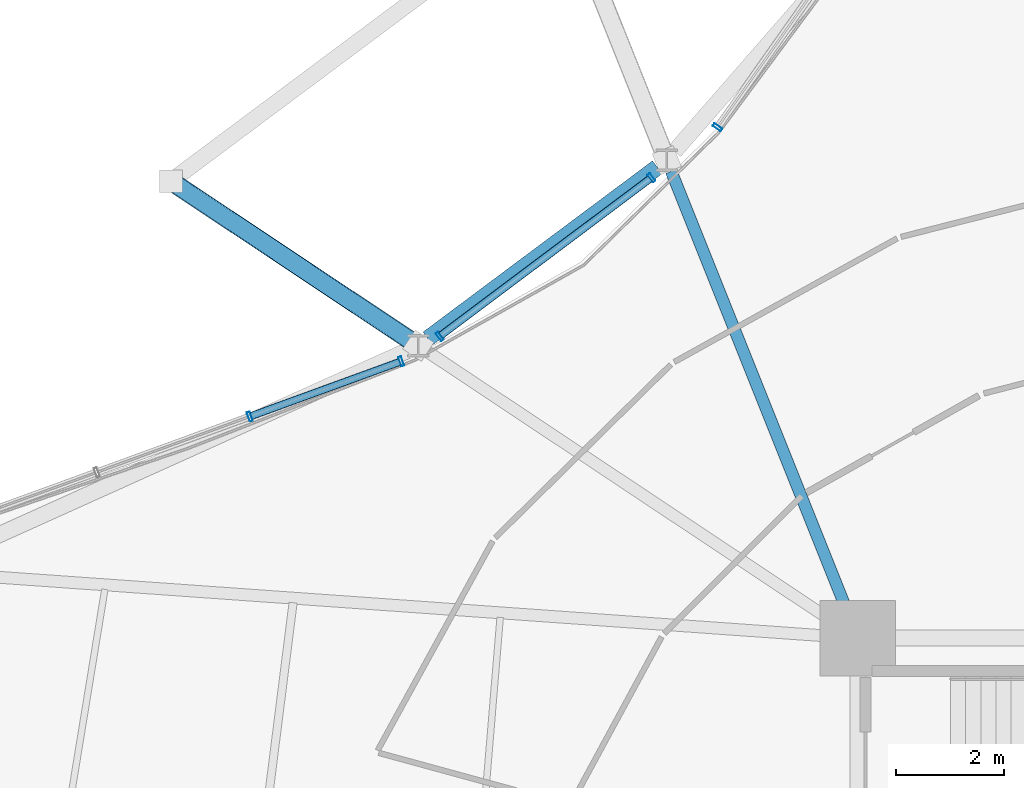
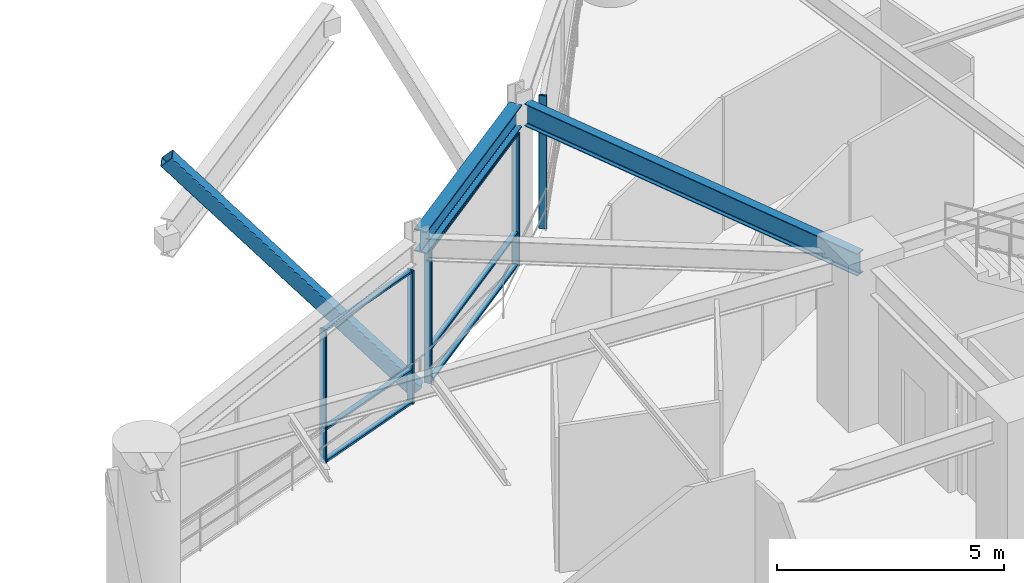
# One storey, part 31 of 55: 12 members, 2 beams, 3 elements without a shape of their own.
"""IFC4 building model written with IfcOpenShell, lengths in metres."""

from ifc_helpers import new_model, si_unit, direction, frame, origin, origin_2d, place, context, subcontext, project, spatial, hollow_rectangle, i_section, extrude, material, layer, layer_set, material_profile, profile_set, type_object, element, aggregate, save


model = new_model("IFC4")

# Units and contexts
model_context = context("Model", 3, precision=1e-05, world=origin(), true_north=direction((0.0, 1.0)))
body_context = subcontext(model_context, "Body", "Model", "MODEL_VIEW")
ifc_project = project(units=[si_unit("LENGTHUNIT", "METRE"), si_unit("AREAUNIT", "SQUARE_METRE"), si_unit("VOLUMEUNIT", "CUBIC_METRE"), si_unit("PLANEANGLEUNIT", "RADIAN"), si_unit("MASSUNIT", "GRAM", prefix="KILO")], contexts=[model_context])

# Site, building, storey
site_placement = place(None, origin())
site = spatial("IfcSite", under=ifc_project, at=site_placement, CompositionType="ELEMENT")
building_placement = place(site_placement, origin())
building = spatial("IfcBuilding", under=site, at=building_placement, Name="Kelanora Arch Commons", CompositionType="ELEMENT")
storey_placement = place(building_placement, frame((0.0, 0.0, 4.5)))
storey = spatial("IfcBuildingStorey", under=building, at=storey_placement, Name="L01", CompositionType="ELEMENT", Elevation=4.5)

# Beams
ifc_material_1 = material(Name="Steel S355", Category="steel")
ifc_material_profile_1 = material_profile(ifc_material_1, i_section(OverallWidth=0.219970703125, OverallDepth=0.60009765625, WebThickness=0.011962890625, FlangeThickness=0.01904296875, FilletRadius=0.02392578125, at=origin_2d()), Name="IPE600")
ifc_profile_set_1 = profile_set([ifc_material_profile_1], Name="Steel S355")
beam_type_1 = type_object("IfcBeamType", Name="BM-RAD-Z1", PredefinedType="BEAM", material=ifc_profile_set_1)
beam_1_placement = place(storey_placement, frame((66.0, 65.0, 3.89990234375), z_axis=(-0.371300433106, 0.928512783098, 0.0), x_axis=(-0.928512783098, -0.371300433106, 0.0)))
element("IfcBeam", 1, at=beam_1_placement, inside=storey, type_object=beam_type_1, Name="Radial Floor Girder BR-12 L01", PredefinedType="BEAM", context=body_context, shape_type="SweptSolid", body=[
    extrude(i_section(OverallWidth=0.219970703125, OverallDepth=0.60009765625, WebThickness=0.011962890625, FlangeThickness=0.01904296875, FilletRadius=0.02392578125, at=origin_2d()), origin(), (0.0, 0.0, 1.0), 9.3291015625),
])
ifc_material_profile_2 = material_profile(ifc_material_1, i_section(OverallWidth=0.300048828125, OverallDepth=0.60009765625, WebThickness=0.015380859375, FlangeThickness=0.030029296875, FilletRadius=0.027099609375, at=origin_2d()), Name="HEB600")
ifc_profile_set_2 = profile_set([ifc_material_profile_2], Name="Steel S355")
beam_type_2 = type_object("IfcBeamType", Name="BM-SPN-Z1", PredefinedType="SPANDREL", material=ifc_profile_set_2)
beam_2_placement = place(storey_placement, frame((62.278076171875, 73.73486328125, 3.89990234375), z_axis=(-0.801486366257, -0.598013047269, 0.0), x_axis=(0.598013047269, -0.801486366257, 0.0)))
element("IfcBeam", 2, at=beam_2_placement, inside=storey, type_object=beam_type_2, Name="Perimeter Spandrel Beam BS-12 L01", PredefinedType="SPANDREL", context=body_context, shape_type="SweptSolid", body=[
    extrude(i_section(OverallWidth=0.300048828125, OverallDepth=0.60009765625, WebThickness=0.015380859375, FlangeThickness=0.030029296875, FilletRadius=0.027099609375, at=origin_2d()), origin(), (0.0, 0.0, 1.0), 5.31298828125),
])

# Curtain wall, member
ifc_material_2 = material(Name="Terracotta ceramic-fritted low-E glass and aluminium", Category="masonry")
ifc_layer = layer(ifc_material_2, 0.2099609375)
ifc_layer_set = layer_set([ifc_layer], Name="Terracotta ceramic-fritted low-E glass and aluminium")
curtain_wall_type = type_object("IfcCurtainWallType", Name="CW-SYS-04", PredefinedType="NOTDEFINED", material=ifc_layer_set)
curtain_wall_1_placement = place(storey_placement, origin())
curtain_wall_1 = element("IfcCurtainWall", 3, at=curtain_wall_1_placement, inside=storey, type_object=curtain_wall_type, Name="Unitised Curtain Wall L01-B05", PredefinedType="NOTDEFINED")
ifc_material_3 = material(Name="Powder-coated aluminium terracotta", Category="masonry")
ifc_material_profile_3 = material_profile(ifc_material_3, hollow_rectangle(XDim=0.179931640625, YDim=0.06005859375, WallThickness=0.0048828125, InnerFilletRadius=0.0048828125, OuterFilletRadius=0.010009765625, at=origin_2d()), Name="CWM180x60")
ifc_profile_set_3 = profile_set([ifc_material_profile_3], Name="Powder-coated aluminium terracotta")
member_type_1 = type_object("IfcMemberType", Name="CWM-HVY", PredefinedType="MULLION", material=ifc_profile_set_3)
member_1_placement = place(storey_placement, frame((63.39501953125, 74.477294921875, 0.0), z_axis=(0.0, 0.0, 1.0), x_axis=(0.817206133555, -0.576345499922, 0.0)))
member_1 = element("IfcMember", 4, at=member_1_placement, type_object=member_type_1, Name="CW-04 mullion 3", PredefinedType="MULLION", context=body_context, shape_type="SweptSolid", body=[
    extrude(hollow_rectangle(XDim=0.179931640625, YDim=0.06005859375, WallThickness=0.0048828125, InnerFilletRadius=0.0048828125, OuterFilletRadius=0.010009765625, at=origin_2d()), origin(), (0.0, 0.0, 1.0), 3.580078125),
])
aggregate(curtain_wall_1, [member_1])

# Curtain wall, members
curtain_wall_2_placement = place(storey_placement, origin())
curtain_wall_2 = element("IfcCurtainWall", 5, at=curtain_wall_2_placement, inside=storey, type_object=curtain_wall_type, Name="Unitised Curtain Wall L01-B06", PredefinedType="NOTDEFINED")
member_2_placement = place(storey_placement, frame((62.169189453125, 73.54150390625, 0.0), z_axis=(0.0, 0.0, 1.0), x_axis=(0.599587813185, -0.80030897426, 0.0)))
member_2 = element("IfcMember", 6, at=member_2_placement, type_object=member_type_1, Name="CW-04 mullion 1", PredefinedType="MULLION", context=body_context, shape_type="SweptSolid", body=[
    extrude(hollow_rectangle(XDim=0.179931640625, YDim=0.06005859375, WallThickness=0.0048828125, InnerFilletRadius=0.0048828125, OuterFilletRadius=0.010009765625, at=origin_2d()), origin(), (0.0, 0.0, 1.0), 3.580078125),
])
member_3_placement = place(storey_placement, frame((58.239990234375, 70.597900390625, 0.0), z_axis=(0.0, 0.0, 1.0), x_axis=(0.599587813185, -0.80030897426, 0.0)))
member_3 = element("IfcMember", 7, at=member_3_placement, type_object=member_type_1, Name="CW-04 mullion 2", PredefinedType="MULLION", context=body_context, shape_type="SweptSolid", body=[
    extrude(hollow_rectangle(XDim=0.179931640625, YDim=0.06005859375, WallThickness=0.0048828125, InnerFilletRadius=0.0048828125, OuterFilletRadius=0.010009765625, at=origin_2d()), origin(), (0.0, 0.0, 1.0), 3.580078125),
])

curtain_wall_3_placement = place(storey_placement, origin())
curtain_wall_3 = element("IfcCurtainWall", 8, at=curtain_wall_3_placement, inside=storey, type_object=curtain_wall_type, Name="Unitised Curtain Wall L01-B07", PredefinedType="NOTDEFINED")
member_4_placement = place(storey_placement, frame((57.526611328125, 70.134765625, 0.0), z_axis=(0.0, 0.0, 1.0), x_axis=(0.342318215206, -0.939584077951, 0.0)))
member_4 = element("IfcMember", 9, at=member_4_placement, type_object=member_type_1, Name="CW-04 mullion 1", PredefinedType="MULLION", context=body_context, shape_type="SweptSolid", body=[
    extrude(hollow_rectangle(XDim=0.179931640625, YDim=0.06005859375, WallThickness=0.0048828125, InnerFilletRadius=0.0048828125, OuterFilletRadius=0.010009765625, at=origin_2d()), origin(), (0.0, 0.0, 1.0), 3.580078125),
])
member_5_placement = place(storey_placement, frame((54.717529296875, 69.111328125, 0.0), z_axis=(0.0, 0.0, 1.0), x_axis=(0.342318215206, -0.939584077951, 0.0)))
member_5 = element("IfcMember", 10, at=member_5_placement, type_object=member_type_1, Name="CW-04 mullion 2", PredefinedType="MULLION", context=body_context, shape_type="SweptSolid", body=[
    extrude(hollow_rectangle(XDim=0.179931640625, YDim=0.06005859375, WallThickness=0.0048828125, InnerFilletRadius=0.0048828125, OuterFilletRadius=0.010009765625, at=origin_2d()), origin(), (0.0, 0.0, 1.0), 3.580078125),
])

# Member
ifc_material_profile_4 = material_profile(ifc_material_3, hollow_rectangle(XDim=0.139892578125, YDim=0.06005859375, WallThickness=0.0048828125, InnerFilletRadius=0.0048828125, OuterFilletRadius=0.010009765625, at=origin_2d()), Name="CWT140x60")
ifc_profile_set_4 = profile_set([ifc_material_profile_4], Name="Powder-coated aluminium terracotta")
member_type_2 = type_object("IfcMemberType", Name="CWT-HVY", PredefinedType="USERDEFINED", material=ifc_profile_set_4)
member_6_placement = place(storey_placement, frame((62.145263671875, 73.5234375, 0.030029296875), z_axis=(-0.800307995736, -0.599589119281, 0.0), x_axis=(0.599589119281, -0.800307995736, 0.0)))
member_6 = element("IfcMember", 11, at=member_6_placement, type_object=member_type_2, Name="CW-04 transom 1.1", ObjectType="TRANSOM", PredefinedType="USERDEFINED", context=body_context, shape_type="SweptSolid", body=[
    extrude(hollow_rectangle(XDim=0.139892578125, YDim=0.06005859375, WallThickness=0.0048828125, InnerFilletRadius=0.0048828125, OuterFilletRadius=0.010009765625, at=origin_2d()), origin(), (0.0, 0.0, 1.0), 4.849609375),
])

member_7_placement = place(storey_placement, frame((62.145263671875, 73.5234375, 0.89990234375), z_axis=(-0.800307995736, -0.599589119281, 0.0), x_axis=(0.599589119281, -0.800307995736, 0.0)))
member_7 = element("IfcMember", 12, at=member_7_placement, type_object=member_type_2, Name="CW-04 transom 1.2", ObjectType="TRANSOM", PredefinedType="USERDEFINED", context=body_context, shape_type="SweptSolid", body=[
    extrude(hollow_rectangle(XDim=0.139892578125, YDim=0.06005859375, WallThickness=0.0048828125, InnerFilletRadius=0.0048828125, OuterFilletRadius=0.010009765625, at=origin_2d()), origin(), (0.0, 0.0, 1.0), 4.849609375),
])

member_8_placement = place(storey_placement, frame((62.145263671875, 73.5234375, 3.550048828125), z_axis=(-0.800307995736, -0.599589119281, 0.0), x_axis=(0.599589119281, -0.800307995736, 0.0)))
member_8 = element("IfcMember", 13, at=member_8_placement, type_object=member_type_2, Name="CW-04 transom 1.3", ObjectType="TRANSOM", PredefinedType="USERDEFINED", context=body_context, shape_type="SweptSolid", body=[
    extrude(hollow_rectangle(XDim=0.139892578125, YDim=0.06005859375, WallThickness=0.0048828125, InnerFilletRadius=0.0048828125, OuterFilletRadius=0.010009765625, at=origin_2d()), origin(), (0.0, 0.0, 1.0), 4.849609375),
])

aggregate(curtain_wall_2, [member_2, member_3, member_6, member_7, member_8])

member_9_placement = place(storey_placement, frame((57.498291015625, 70.12451171875, 0.030029296875), z_axis=(-0.939579128074, -0.342331801164, 0.0), x_axis=(0.342331801164, -0.939579128074, 0.0)))
member_9 = element("IfcMember", 14, at=member_9_placement, type_object=member_type_2, Name="CW-04 transom 1.1", ObjectType="TRANSOM", PredefinedType="USERDEFINED", context=body_context, shape_type="SweptSolid", body=[
    extrude(hollow_rectangle(XDim=0.139892578125, YDim=0.06005859375, WallThickness=0.0048828125, InnerFilletRadius=0.0048828125, OuterFilletRadius=0.010009765625, at=origin_2d()), origin(), (0.0, 0.0, 1.0), 2.9296875),
])

member_10_placement = place(storey_placement, frame((57.498291015625, 70.12451171875, 0.89990234375), z_axis=(-0.939579128074, -0.342331801164, 0.0), x_axis=(0.342331801164, -0.939579128074, 0.0)))
member_10 = element("IfcMember", 15, at=member_10_placement, type_object=member_type_2, Name="CW-04 transom 1.2", ObjectType="TRANSOM", PredefinedType="USERDEFINED", context=body_context, shape_type="SweptSolid", body=[
    extrude(hollow_rectangle(XDim=0.139892578125, YDim=0.06005859375, WallThickness=0.0048828125, InnerFilletRadius=0.0048828125, OuterFilletRadius=0.010009765625, at=origin_2d()), origin(), (0.0, 0.0, 1.0), 2.9296875),
])

member_11_placement = place(storey_placement, frame((57.498291015625, 70.12451171875, 3.550048828125), z_axis=(-0.939579128074, -0.342331801164, 0.0), x_axis=(0.342331801164, -0.939579128074, 0.0)))
member_11 = element("IfcMember", 16, at=member_11_placement, type_object=member_type_2, Name="CW-04 transom 1.3", ObjectType="TRANSOM", PredefinedType="USERDEFINED", context=body_context, shape_type="SweptSolid", body=[
    extrude(hollow_rectangle(XDim=0.139892578125, YDim=0.06005859375, WallThickness=0.0048828125, InnerFilletRadius=0.0048828125, OuterFilletRadius=0.010009765625, at=origin_2d()), origin(), (0.0, 0.0, 1.0), 2.9296875),
])

aggregate(curtain_wall_3, [member_4, member_5, member_9, member_10, member_11])

ifc_material_profile_5 = material_profile(ifc_material_1, hollow_rectangle(XDim=0.35009765625, YDim=0.35009765625, WallThickness=0.01611328125, InnerFilletRadius=0.01611328125, OuterFilletRadius=0.031982421875, at=origin_2d()), Name="SHS350x350x16")
ifc_profile_set_5 = profile_set([ifc_material_profile_5], Name="Steel S355")
member_type_3 = type_object("IfcMemberType", Name="MEM-BELT-STRUT", PredefinedType="STRUT", material=ifc_profile_set_5)
member_12_placement = place(storey_placement, frame((57.843505859375, 70.426025390625, 0.10009765625), z_axis=(-0.566242940323, 0.376711858233, 0.733114662519), x_axis=(-0.553902449507, -0.832581573439, 0.0)))
element("IfcMember", 17, at=member_12_placement, inside=storey, type_object=member_type_3, Name="Courtyard Overhang Raking Strut 14", PredefinedType="STRUT", context=body_context, shape_type="SweptSolid", body=[
    extrude(hollow_rectangle(XDim=0.35009765625, YDim=0.35009765625, WallThickness=0.01611328125, InnerFilletRadius=0.01611328125, OuterFilletRadius=0.031982421875, at=origin_2d()), origin(), (0.0, 0.0, 1.0), 8.102294921875),
])

save(model, "model.ifc")
